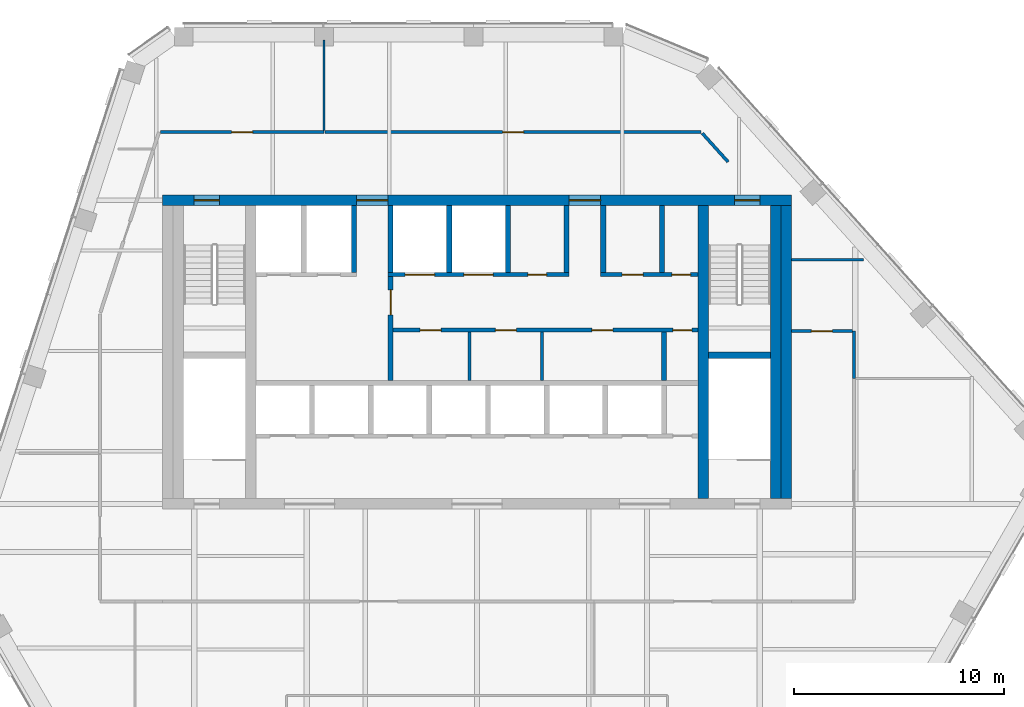
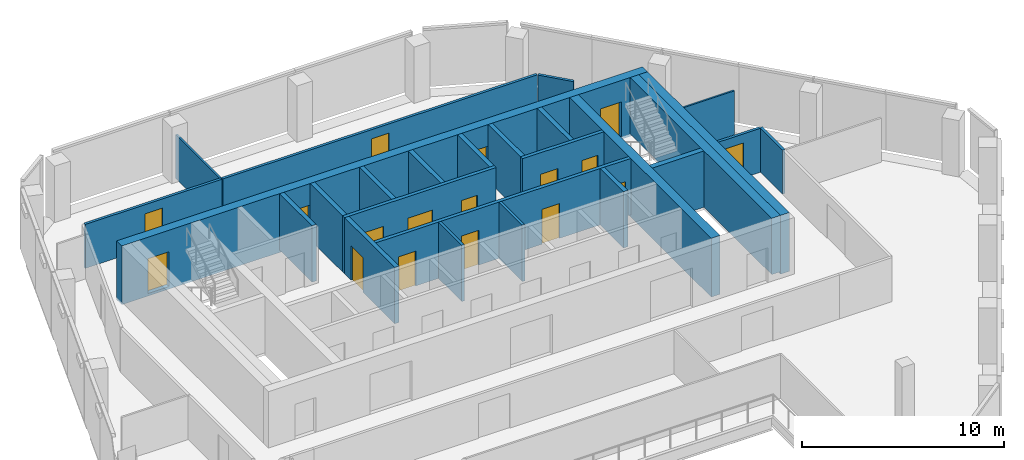
# One storey, part 9 of 13: 26 walls, 17 doors, 17 openings.
"""IFC4 building model written with IfcOpenShell, lengths in metres."""

from ifc_helpers import new_model, si_unit, direction, frame, frame_2d, origin, place, context, subcontext, project, spatial, rectangle, extrude, material, layer, layer_set, type_object, element, fill, save


model = new_model("IFC4")

# Units and contexts
model_context = context("Model", 3, precision=1e-05, world=origin(), true_north=direction((0.0, 1.0)))
body_context = subcontext(model_context, "Body", "Model", "MODEL_VIEW")
ifc_project = project(units=[si_unit("LENGTHUNIT", "METRE"), si_unit("AREAUNIT", "SQUARE_METRE"), si_unit("VOLUMEUNIT", "CUBIC_METRE"), si_unit("PLANEANGLEUNIT", "RADIAN"), si_unit("MASSUNIT", "GRAM", prefix="KILO")], contexts=[model_context])

# Site, building, storey
site_placement = place(None, origin())
site = spatial("IfcSite", under=ifc_project, at=site_placement, CompositionType="ELEMENT")
building_placement = place(site_placement, origin())
building = spatial("IfcBuilding", under=site, at=building_placement, Name="Isthmus Gate Tower", CompositionType="ELEMENT")
storey_placement = place(building_placement, frame((0.0, 0.0, 297.449951171875)))
storey = spatial("IfcBuildingStorey", under=building, at=storey_placement, Name="L76", CompositionType="ELEMENT", Elevation=297.449951171875)

# Wall
ifc_material_1 = material(Name="Gypsum board on steel studs, fire-rated", Category="steel")
ifc_layer_1 = layer(ifc_material_1, 0.14990234375)
ifc_layer_set_1 = layer_set([ifc_layer_1], Name="CORRIDOR WALL 150 60 MIN")
wall_type_1 = type_object("IfcWallType", Name="CORRIDOR WALL 150 60 MIN", PredefinedType="PARTITIONING", material=ifc_layer_set_1)
wall_1_placement = place(storey_placement, frame((18.0, 8.5, 0.0), z_axis=(0.0, 0.0, 1.0), x_axis=(0.0, -1.0, 0.0)))
element("IfcWall", 1, at=wall_1_placement, inside=storey, type_object=wall_type_1, Name="L76 Corridor Wall 150 60 Min", PredefinedType="PARTITIONING", context=body_context, shape_type="SweptSolid", body=[
    extrude(rectangle(XDim=2.262939453125, YDim=0.14990234375, at=frame_2d((1.13134765625, 0.0))), origin(), (0.0, 0.0, 1.0), 2.650634765625),
])

# Wall, opening, door
wall_2_placement = place(storey_placement, frame((-15.10302734375, 18.0, 0.0), z_axis=(0.0, 0.0, 1.0), x_axis=(1.0, 0.0, 0.0)))
wall_2 = element("IfcWall", 2, at=wall_2_placement, inside=storey, type_object=wall_type_1, Name="L76 Corridor Wall 150 60 Min", PredefinedType="PARTITIONING", context=body_context, shape_type="SweptSolid", body=[
    extrude(rectangle(XDim=7.79296875, YDim=0.14990234375, at=frame_2d((3.896484375, 0.0))), origin(), (0.0, 0.0, 1.0), 2.650634765625),
])
opening_1_placement = place(wall_2_placement, frame((3.396484375, 0.0, 0.0)))
opening_1 = element("IfcOpeningElement", 3, at=opening_1_placement, cuts=wall_2, Name="Opening DT-T6D-01", PredefinedType="OPENING", context=body_context, shape_type="SweptSolid", body=[
    extrude(rectangle(XDim=1.0, YDim=2.10009765625, at=frame_2d((0.5, 1.050048828125))), frame((0.0, 0.0849609375, 0.0), z_axis=(0.0, -1.0, 0.0), x_axis=(1.0, 0.0, 0.0)), (0.0, 0.0, 1.0), 0.169921875),
])
ifc_material_2 = material(Name="Solid core timber door leaf, fire-rated", Category="wood")
door_type_1 = type_object("IfcDoorType", Name="FIRE DOOR ROOM 1000 X 2100 60 MIN", OperationType="SINGLE_SWING_LEFT", PredefinedType="DOOR", material=ifc_material_2)
door_1_placement = place(opening_1_placement, origin())
door_1 = element("IfcDoor", 4, at=door_1_placement, inside=storey, type_object=door_type_1, Name="L76 room door", OperationType="SINGLE_SWING_RIGHT", OverallHeight=2.10009765625, OverallWidth=1.0, PredefinedType="DOOR", context=body_context, shape_type="SweptSolid", body=[
    extrude(rectangle(XDim=1.0, YDim=2.10009765625, at=frame_2d((0.5, 1.050048828125))), frame((0.0, 0.02490234375, 0.0), z_axis=(0.0, -1.0, 0.0), x_axis=(1.0, 0.0, 0.0)), (0.0, 0.0, 1.0), 0.050048828125),
])
fill(opening_1, door_1)

wall_3_placement = place(storey_placement, frame((-7.260009765625, 18.0, 0.0), z_axis=(0.0, 0.0, 1.0), x_axis=(1.0, 0.0, 0.0)))
wall_3 = element("IfcWall", 5, at=wall_3_placement, inside=storey, type_object=wall_type_1, Name="L76 Corridor Wall 150 60 Min", PredefinedType="PARTITIONING", context=body_context, shape_type="SweptSolid", body=[
    extrude(rectangle(XDim=17.9619140625, YDim=0.14990234375, at=frame_2d((8.98095703125, 0.0))), origin(), (0.0, 0.0, 1.0), 2.650634765625),
])
opening_2_placement = place(wall_3_placement, frame((8.48095703125, 0.0, 0.0)))
opening_2 = element("IfcOpeningElement", 6, at=opening_2_placement, cuts=wall_3, Name="Opening DT-T6D-02", PredefinedType="OPENING", context=body_context, shape_type="SweptSolid", body=[
    extrude(rectangle(XDim=1.0, YDim=2.10009765625, at=frame_2d((0.5, 1.050048828125))), frame((0.0, 0.0849609375, 0.0), z_axis=(0.0, -1.0, 0.0), x_axis=(1.0, 0.0, 0.0)), (0.0, 0.0, 1.0), 0.169921875),
])
door_2_placement = place(opening_2_placement, origin())
door_2 = element("IfcDoor", 7, at=door_2_placement, inside=storey, type_object=door_type_1, Name="L76 room door", OperationType="SINGLE_SWING_RIGHT", OverallHeight=2.10009765625, OverallWidth=1.0, PredefinedType="DOOR", context=body_context, shape_type="SweptSolid", body=[
    extrude(rectangle(XDim=1.0, YDim=2.10009765625, at=frame_2d((0.5, 1.050048828125))), frame((0.0, 0.02490234375, 0.0), z_axis=(0.0, -1.0, 0.0), x_axis=(1.0, 0.0, 0.0)), (0.0, 0.0, 1.0), 0.050048828125),
])
fill(opening_2, door_2)

# Wall
wall_4_placement = place(storey_placement, frame((10.752197265625, 17.9443359375, 0.0), z_axis=(0.0, 0.0, 1.0), x_axis=(0.669074609711, -0.743195241266, 0.0)))
element("IfcWall", 8, at=wall_4_placement, inside=storey, type_object=wall_type_1, Name="L76 Corridor Wall 150 60 Min", PredefinedType="PARTITIONING", context=body_context, shape_type="SweptSolid", body=[
    extrude(rectangle(XDim=1.84130859375, YDim=0.14990234375, at=frame_2d((0.920654296875, 0.0))), origin(), (0.0, 0.0, 1.0), 2.650634765625),
])

# Wall, opening, door
wall_5_placement = place(storey_placement, frame((15.0, 8.5, 0.0), z_axis=(0.0, 0.0, 1.0), x_axis=(1.0, 0.0, 0.0)))
wall_5 = element("IfcWall", 9, at=wall_5_placement, inside=storey, type_object=wall_type_1, Name="L76 Corridor Wall 150 60 Min", PredefinedType="PARTITIONING", context=body_context, shape_type="SweptSolid", body=[
    extrude(rectangle(XDim=2.925048828125, YDim=0.14990234375, at=frame_2d((1.46240234375, 0.0))), origin(), (0.0, 0.0, 1.0), 2.650634765625),
])
opening_3_placement = place(wall_5_placement, frame((0.96240234375, 0.0, 0.0)))
opening_3 = element("IfcOpeningElement", 10, at=opening_3_placement, cuts=wall_5, Name="Opening DT-T6D-04", PredefinedType="OPENING", context=body_context, shape_type="SweptSolid", body=[
    extrude(rectangle(XDim=1.0, YDim=2.10009765625, at=frame_2d((0.5, 1.050048828125))), frame((0.0, 0.0849609375, 0.0), z_axis=(0.0, -1.0, 0.0), x_axis=(1.0, 0.0, 0.0)), (0.0, 0.0, 1.0), 0.169921875),
])
door_3_placement = place(opening_3_placement, origin())
door_3 = element("IfcDoor", 11, at=door_3_placement, inside=storey, type_object=door_type_1, Name="L76 room door", OperationType="SINGLE_SWING_RIGHT", OverallHeight=2.10009765625, OverallWidth=1.0, PredefinedType="DOOR", context=body_context, shape_type="SweptSolid", body=[
    extrude(rectangle(XDim=1.0, YDim=2.10009765625, at=frame_2d((0.5, 1.050048828125))), frame((0.0, 0.02490234375, 0.0), z_axis=(0.0, -1.0, 0.0), x_axis=(1.0, 0.0, 0.0)), (0.0, 0.0, 1.0), 0.050048828125),
])
fill(opening_3, door_3)

ifc_material_3 = material(Name="Fire-rated blockwork masonry, 15 MPa", Category="masonry")
ifc_layer_2 = layer(ifc_material_3, 0.25)
ifc_layer_set_2 = layer_set([ifc_layer_2], Name="FIRE-FIGHTING LOBBY WALL 250 90 MIN")
wall_type_2 = type_object("IfcWallType", Name="FIRE-FIGHTING LOBBY WALL 250 90 MIN", PredefinedType="PARTITIONING", material=ifc_layer_set_2)
wall_6_placement = place(storey_placement, frame((-4.125, 6.14990234375, 0.0), z_axis=(0.0, 0.0, 1.0), x_axis=(0.0, 1.0, 0.0)))
wall_6 = element("IfcWall", 12, at=wall_6_placement, inside=storey, type_object=wall_type_2, Name="L76 FIRE-FIGHTING LOBBY WALL 250 90 MIN", PredefinedType="PARTITIONING", context=body_context, shape_type="SweptSolid", body=[
    extrude(rectangle(XDim=4.9501953125, YDim=0.25, at=frame_2d((2.47509765625, 0.0))), origin(), (0.0, 0.0, 1.0), 3.400146484375),
])
opening_4_placement = place(wall_6_placement, frame((3.125, 0.0, 0.0)))
opening_4 = element("IfcOpeningElement", 13, at=opening_4_placement, cuts=wall_6, Name="Opening DC-A18-01", PredefinedType="OPENING", context=body_context, shape_type="SweptSolid", body=[
    extrude(rectangle(XDim=1.199951171875, YDim=2.10009765625, at=frame_2d((0.60009765625, 1.050048828125))), frame((0.0, 0.135009765625, 0.0), z_axis=(0.0, -1.0, 0.0), x_axis=(1.0, 0.0, 0.0)), (0.0, 0.0, 1.0), 0.27001953125),
])
ifc_material_4 = material(Name="Steel door leaf, fire-rated", Category="steel")
door_type_2 = type_object("IfcDoorType", Name="LOBBY FIRE DOOR 1200 X 2100 90 MIN", OperationType="DOUBLE_DOOR_SINGLE_SWING", PredefinedType="DOOR", material=ifc_material_4)
door_4_placement = place(opening_4_placement, origin())
door_4 = element("IfcDoor", 14, at=door_4_placement, inside=storey, type_object=door_type_2, Name="Fire-fighting Lobby Door", OperationType="SINGLE_SWING_LEFT", OverallHeight=2.10009765625, OverallWidth=1.199951171875, PredefinedType="DOOR", context=body_context, shape_type="SweptSolid", body=[
    extrude(rectangle(XDim=1.199951171875, YDim=2.10009765625, at=frame_2d((0.60009765625, 1.050048828125))), frame((0.0, 0.02490234375, 0.0), z_axis=(0.0, -1.0, 0.0), x_axis=(1.0, 0.0, 0.0)), (0.0, 0.0, 1.0), 0.050048828125),
])
fill(opening_4, door_4)

# Wall
ifc_material_5 = material(Name="Concrete f'c 50 MPa", Category="concrete")
ifc_layer_3 = layer(ifc_material_5, 0.5)
ifc_layer_set_3 = layer_set([ifc_layer_3], Name="RC CORE SPINE WALL 500 F'C 50")
wall_type_3 = type_object("IfcWallType", Name="RC CORE SPINE WALL 500 F'C 50", PredefinedType="SOLIDWALL", material=ifc_layer_set_3)
wall_7_placement = place(storey_placement, frame((10.800048828125, 0.5, -0.14990234375), z_axis=(0.0, 0.0, 1.0), x_axis=(0.0, 1.0, 0.0)))
element("IfcWall", 15, at=wall_7_placement, inside=storey, type_object=wall_type_3, Name="str-corewall-L76-SPE", PredefinedType="SOLIDWALL", context=body_context, shape_type="SweptSolid", body=[
    extrude(rectangle(XDim=14.0, YDim=0.5, at=frame_2d((7.0, 0.0))), origin(), (0.0, 0.0, 1.0), 3.550048828125),
])

# Wall, openings, doors
ifc_material_6 = material(Name="Concrete f'c 50 MPa", Category="concrete")
ifc_layer_4 = layer(ifc_material_6, 0.5)
ifc_layer_set_4 = layer_set([ifc_layer_4], Name="RC CORE WALL 500 F'C 50")
wall_type_4 = type_object("IfcWallType", Name="RC CORE WALL 500 F'C 50", PredefinedType="SOLIDWALL", material=ifc_layer_set_4)
wall_8_placement = place(storey_placement, frame((-15.0, 14.75, -0.14990234375), z_axis=(0.0, 0.0, 1.0), x_axis=(1.0, 0.0, 0.0)))
wall_8 = element("IfcWall", 16, at=wall_8_placement, inside=storey, type_object=wall_type_4, Name="str-corewall-L76-N", PredefinedType="SOLIDWALL", context=body_context, shape_type="SweptSolid", body=[
    extrude(rectangle(XDim=30.0, YDim=0.5, at=frame_2d((15.0, 0.0))), origin(), (0.0, 0.0, 1.0), 3.550048828125),
])
opening_5_placement = place(wall_8_placement, frame((9.25, 0.0, 0.14990234375)))
opening_5 = element("IfcOpeningElement", 17, at=opening_5_placement, cuts=wall_8, Name="Opening DC-A18-13", PredefinedType="OPENING", context=body_context, shape_type="SweptSolid", body=[
    extrude(rectangle(XDim=1.5, YDim=2.10009765625, at=frame_2d((0.75, 1.050048828125))), frame((0.0, 0.260009765625, 0.0), z_axis=(0.0, -1.0, 0.0), x_axis=(1.0, 0.0, 0.0)), (0.0, 0.0, 1.0), 0.52001953125),
])
opening_6_placement = place(wall_8_placement, frame((19.39990234375, 0.0, 0.14990234375)))
opening_6 = element("IfcOpeningElement", 18, at=opening_6_placement, cuts=wall_8, Name="Opening DC-A18-14", PredefinedType="OPENING", context=body_context, shape_type="SweptSolid", body=[
    extrude(rectangle(XDim=1.5, YDim=2.10009765625, at=frame_2d((0.75, 1.050048828125))), frame((0.0, 0.260009765625, 0.0), z_axis=(0.0, -1.0, 0.0), x_axis=(1.0, 0.0, 0.0)), (0.0, 0.0, 1.0), 0.52001953125),
])
opening_7_placement = place(wall_8_placement, frame((1.5, 0.0, 0.14990234375)))
opening_7 = element("IfcOpeningElement", 19, at=opening_7_placement, cuts=wall_8, Name="Opening DC-A18-15", PredefinedType="OPENING", context=body_context, shape_type="SweptSolid", body=[
    extrude(rectangle(XDim=1.199951171875, YDim=2.10009765625, at=frame_2d((0.60009765625, 1.050048828125))), frame((0.0, 0.260009765625, 0.0), z_axis=(0.0, -1.0, 0.0), x_axis=(1.0, 0.0, 0.0)), (0.0, 0.0, 1.0), 0.52001953125),
])
opening_8_placement = place(wall_8_placement, frame((27.300048828125, 0.0, 0.14990234375)))
opening_8 = element("IfcOpeningElement", 20, at=opening_8_placement, cuts=wall_8, Name="Opening DC-A18-16", PredefinedType="OPENING", context=body_context, shape_type="SweptSolid", body=[
    extrude(rectangle(XDim=1.199951171875, YDim=2.10009765625, at=frame_2d((0.60009765625, 1.050048828125))), frame((0.0, 0.260009765625, 0.0), z_axis=(0.0, -1.0, 0.0), x_axis=(1.0, 0.0, 0.0)), (0.0, 0.0, 1.0), 0.52001953125),
])
ifc_material_7 = material(Name="Steel door leaf, fire-rated", Category="steel")
door_type_3 = type_object("IfcDoorType", Name="LOBBY FIRE DOOR 1500 X 2100 60 MIN", OperationType="DOUBLE_DOOR_SINGLE_SWING", PredefinedType="DOOR", material=ifc_material_7)
door_5_placement = place(opening_6_placement, origin())
door_5 = element("IfcDoor", 21, at=door_5_placement, inside=storey, type_object=door_type_3, Name="Lobby Door PN-E", OperationType="DOUBLE_DOOR_SINGLE_SWING", OverallHeight=2.10009765625, OverallWidth=1.5, PredefinedType="DOOR", context=body_context, shape_type="SweptSolid", body=[
    extrude(rectangle(XDim=1.5, YDim=2.10009765625, at=frame_2d((0.75, 1.050048828125))), frame((0.0, 0.02490234375, 0.0), z_axis=(0.0, -1.0, 0.0), x_axis=(1.0, 0.0, 0.0)), (0.0, 0.0, 1.0), 0.050048828125),
])
fill(opening_6, door_5)
ifc_material_8 = material(Name="Steel door leaf, fire-rated", Category="steel")
door_type_4 = type_object("IfcDoorType", Name="LOBBY FIRE DOOR 1500 X 2100 90 MIN", OperationType="DOUBLE_DOOR_SINGLE_SWING", PredefinedType="DOOR", material=ifc_material_8)
door_6_placement = place(opening_5_placement, origin())
door_6 = element("IfcDoor", 22, at=door_6_placement, inside=storey, type_object=door_type_4, Name="Lobby Door PN-W", OperationType="DOUBLE_DOOR_SINGLE_SWING", OverallHeight=2.10009765625, OverallWidth=1.5, PredefinedType="DOOR", context=body_context, shape_type="SweptSolid", body=[
    extrude(rectangle(XDim=1.5, YDim=2.10009765625, at=frame_2d((0.75, 1.050048828125))), frame((0.0, 0.02490234375, 0.0), z_axis=(0.0, -1.0, 0.0), x_axis=(1.0, 0.0, 0.0)), (0.0, 0.0, 1.0), 0.050048828125),
])
fill(opening_5, door_6)
ifc_material_9 = material(Name="Steel door leaf, fire-rated", Category="steel")
door_type_5 = type_object("IfcDoorType", Name="STAIR FIRE DOOR 1200 X 2100 90 MIN", OperationType="SINGLE_SWING_LEFT", PredefinedType="DOOR", material=ifc_material_9)
door_7_placement = place(opening_7_placement, origin())
door_7 = element("IfcDoor", 23, at=door_7_placement, inside=storey, type_object=door_type_5, Name="Exit Stair 1 Door", OperationType="SINGLE_SWING_RIGHT", OverallHeight=2.10009765625, OverallWidth=1.199951171875, PredefinedType="DOOR", context=body_context, shape_type="SweptSolid", body=[
    extrude(rectangle(XDim=1.199951171875, YDim=2.10009765625, at=frame_2d((0.60009765625, 1.050048828125))), frame((0.0, 0.02490234375, 0.0), z_axis=(0.0, -1.0, 0.0), x_axis=(1.0, 0.0, 0.0)), (0.0, 0.0, 1.0), 0.050048828125),
])
fill(opening_7, door_7)
door_8_placement = place(opening_8_placement, origin())
door_8 = element("IfcDoor", 24, at=door_8_placement, inside=storey, type_object=door_type_5, Name="Exit Stair 2 Door", OperationType="SINGLE_SWING_LEFT", OverallHeight=2.10009765625, OverallWidth=1.199951171875, PredefinedType="DOOR", context=body_context, shape_type="SweptSolid", body=[
    extrude(rectangle(XDim=1.199951171875, YDim=2.10009765625, at=frame_2d((0.60009765625, 1.050048828125))), frame((0.0, 0.02490234375, 0.0), z_axis=(0.0, -1.0, 0.0), x_axis=(1.0, 0.0, 0.0)), (0.0, 0.0, 1.0), 0.050048828125),
])
fill(opening_8, door_8)

# Walls
wall_9_placement = place(storey_placement, frame((14.75, 0.5, -0.14990234375), z_axis=(0.0, 0.0, 1.0), x_axis=(0.0, 1.0, 0.0)))
element("IfcWall", 25, at=wall_9_placement, inside=storey, type_object=wall_type_4, Name="str-corewall-L76-E", PredefinedType="SOLIDWALL", context=body_context, shape_type="SweptSolid", body=[
    extrude(rectangle(XDim=14.0, YDim=0.5, at=frame_2d((7.0, 0.0))), origin(), (0.0, 0.0, 1.0), 3.550048828125),
])
ifc_material_10 = material(Name="Gypsum board on steel studs, fire-rated", Category="steel")
ifc_layer_5 = layer(ifc_material_10, 0.10009765625)
ifc_layer_set_5 = layer_set([ifc_layer_5], Name="ROOM PARTITION 100 30 MIN")
wall_type_5 = type_object("IfcWallType", Name="ROOM PARTITION 100 30 MIN", PredefinedType="PARTITIONING", material=ifc_layer_set_5)
wall_10_placement = place(storey_placement, frame((-7.31005859375, 18.074951171875, 0.0), z_axis=(0.0, 0.0, 1.0), x_axis=(0.0, 1.0, 0.0)))
element("IfcWall", 26, at=wall_10_placement, inside=storey, type_object=wall_type_5, Name="L76 Room Partition 100 30 Min", PredefinedType="PARTITIONING", context=body_context, shape_type="SweptSolid", body=[
    extrude(rectangle(XDim=4.324951171875, YDim=0.10009765625, at=frame_2d((2.16259765625, 0.0))), origin(), (0.0, 0.0, 1.0), 2.650634765625),
])
wall_11_placement = place(storey_placement, frame((15.0, 11.907958984375, 0.0), z_axis=(0.0, 0.0, 1.0), x_axis=(1.0, 0.0, 0.0)))
element("IfcWall", 27, at=wall_11_placement, inside=storey, type_object=wall_type_5, Name="L76 Room Partition 100 30 Min", PredefinedType="PARTITIONING", context=body_context, shape_type="SweptSolid", body=[
    extrude(rectangle(XDim=3.443115234375, YDim=0.10009765625, at=frame_2d((1.7216796875, 0.0))), origin(), (0.0, 0.0, 1.0), 2.650634765625),
])
ifc_material_11 = material(Name="Gypsum board on steel studs, fire-rated", Category="steel")
ifc_layer_6 = layer(ifc_material_11, 0.14990234375)
ifc_layer_set_6 = layer_set([ifc_layer_6], Name="ROOM PARTITION 150 60 MIN")
wall_type_6 = type_object("IfcWallType", Name="ROOM PARTITION 150 60 MIN", PredefinedType="PARTITIONING", material=ifc_layer_set_6)
for number, where, z_axis, x_axis, name in (
    (28, (-0.35009765625, 6.14990234375, 0.0), (0.0, 0.0, 1.0), (0.0, 1.0, 0.0), "L76 ROOM PARTITION 150 60 MIN"),
    (29, (3.10009765625, 6.14990234375, 0.0), (0.0, 0.0, 1.0), (0.0, 1.0, 0.0), "L76 ROOM PARTITION 150 60 MIN"),
):
    element("IfcWall", number, at=place(storey_placement, frame(where, z_axis=z_axis, x_axis=x_axis)), inside=storey, type_object=wall_type_6, Name=name, PredefinedType="PARTITIONING", context=body_context, shape_type="SweptSolid", body=[
        extrude(rectangle(XDim=2.300048828125, YDim=0.14990234375, at=frame_2d((1.14990234375, 0.0))), origin(), (0.0, 0.0, 1.0), 3.400146484375),
    ])

# Wall, openings, doors
ifc_material_12 = material(Name="Fire-rated blockwork masonry, 15 MPa", Category="masonry")
ifc_layer_7 = layer(ifc_material_12, 0.199951171875)
ifc_layer_set_7 = layer_set([ifc_layer_7], Name="SHAFT FRONT WALL 200 120 MIN")
wall_type_7 = type_object("IfcWallType", Name="SHAFT FRONT WALL 200 120 MIN", PredefinedType="PARTITIONING", material=ifc_layer_set_7)
wall_12_placement = place(storey_placement, frame((-4.125, 8.550048828125, 0.0), z_axis=(0.0, 0.0, 1.0), x_axis=(1.0, 0.0, 0.0)))
wall_12 = element("IfcWall", 30, at=wall_12_placement, inside=storey, type_object=wall_type_7, Name="L76 SHAFT FRONT WALL 200 120 MIN", PredefinedType="PARTITIONING", context=body_context, shape_type="SweptSolid", body=[
    extrude(rectangle(XDim=14.675048828125, YDim=0.199951171875, at=frame_2d((7.33740234375, 0.0))), origin(), (0.0, 0.0, 1.0), 3.400146484375),
])
opening_9_placement = place(wall_12_placement, frame((1.41259765625, 0.0, 0.0)))
opening_9 = element("IfcOpeningElement", 31, at=opening_9_placement, cuts=wall_12, Name="Opening DC-A18-03", PredefinedType="OPENING", context=body_context, shape_type="SweptSolid", body=[
    extrude(rectangle(XDim=1.0, YDim=2.10009765625, at=frame_2d((0.5, 1.050048828125))), frame((0.0, 0.10986328125, 0.0), z_axis=(0.0, -1.0, 0.0), x_axis=(1.0, 0.0, 0.0)), (0.0, 0.0, 1.0), 0.219970703125),
])
opening_10_placement = place(wall_12_placement, frame((5.0, 0.0, 0.0)))
opening_10 = element("IfcOpeningElement", 32, at=opening_10_placement, cuts=wall_12, Name="Opening DC-A18-04", PredefinedType="OPENING", context=body_context, shape_type="SweptSolid", body=[
    extrude(rectangle(XDim=1.0, YDim=2.10009765625, at=frame_2d((0.5, 1.050048828125))), frame((0.0, 0.10986328125, 0.0), z_axis=(0.0, -1.0, 0.0), x_axis=(1.0, 0.0, 0.0)), (0.0, 0.0, 1.0), 0.219970703125),
])
opening_11_placement = place(wall_12_placement, frame((9.612548828125, 0.0, 0.0)))
opening_11 = element("IfcOpeningElement", 33, at=opening_11_placement, cuts=wall_12, Name="Opening DC-A18-05", PredefinedType="OPENING", context=body_context, shape_type="SweptSolid", body=[
    extrude(rectangle(XDim=1.0, YDim=2.10009765625, at=frame_2d((0.5, 1.050048828125))), frame((0.0, 0.10986328125, 0.0), z_axis=(0.0, -1.0, 0.0), x_axis=(1.0, 0.0, 0.0)), (0.0, 0.0, 1.0), 0.219970703125),
])
opening_12_placement = place(wall_12_placement, frame((13.47509765625, 0.0, 0.0)))
opening_12 = element("IfcOpeningElement", 34, at=opening_12_placement, cuts=wall_12, Name="Opening DC-A18-06", PredefinedType="OPENING", context=body_context, shape_type="SweptSolid", body=[
    extrude(rectangle(XDim=0.89990234375, YDim=2.10009765625, at=frame_2d((0.449951171875, 1.050048828125))), frame((0.0, 0.10986328125, 0.0), z_axis=(0.0, -1.0, 0.0), x_axis=(1.0, 0.0, 0.0)), (0.0, 0.0, 1.0), 0.219970703125),
])
ifc_material_13 = material(Name="Steel door leaf, fire-rated", Category="steel")
door_type_6 = type_object("IfcDoorType", Name="FIRE DOOR 1000 X 2100 60 MIN", OperationType="SINGLE_SWING_LEFT", PredefinedType="DOOR", material=ifc_material_13)
door_9_placement = place(opening_9_placement, origin())
door_9 = element("IfcDoor", 35, at=door_9_placement, inside=storey, type_object=door_type_6, Name="WC Women Door", OperationType="SINGLE_SWING_LEFT", OverallHeight=2.10009765625, OverallWidth=1.0, PredefinedType="DOOR", context=body_context, shape_type="SweptSolid", body=[
    extrude(rectangle(XDim=1.0, YDim=2.10009765625, at=frame_2d((0.5, 1.050048828125))), frame((0.0, 0.02490234375, 0.0), z_axis=(0.0, -1.0, 0.0), x_axis=(1.0, 0.0, 0.0)), (0.0, 0.0, 1.0), 0.050048828125),
])
fill(opening_9, door_9)
door_10_placement = place(opening_10_placement, origin())
door_10 = element("IfcDoor", 36, at=door_10_placement, inside=storey, type_object=door_type_6, Name="WC Men Door", OperationType="SINGLE_SWING_RIGHT", OverallHeight=2.10009765625, OverallWidth=1.0, PredefinedType="DOOR", context=body_context, shape_type="SweptSolid", body=[
    extrude(rectangle(XDim=1.0, YDim=2.10009765625, at=frame_2d((0.5, 1.050048828125))), frame((0.0, 0.02490234375, 0.0), z_axis=(0.0, -1.0, 0.0), x_axis=(1.0, 0.0, 0.0)), (0.0, 0.0, 1.0), 0.050048828125),
])
fill(opening_10, door_10)
door_11_placement = place(opening_11_placement, origin())
door_11 = element("IfcDoor", 37, at=door_11_placement, inside=storey, type_object=door_type_6, Name="Accessible WC Door", OperationType="SINGLE_SWING_LEFT", OverallHeight=2.10009765625, OverallWidth=1.0, PredefinedType="DOOR", context=body_context, shape_type="SweptSolid", body=[
    extrude(rectangle(XDim=1.0, YDim=2.10009765625, at=frame_2d((0.5, 1.050048828125))), frame((0.0, 0.02490234375, 0.0), z_axis=(0.0, -1.0, 0.0), x_axis=(1.0, 0.0, 0.0)), (0.0, 0.0, 1.0), 0.050048828125),
])
fill(opening_11, door_11)
ifc_material_14 = material(Name="Steel door leaf, fire-rated", Category="steel")
door_type_7 = type_object("IfcDoorType", Name="RISER FIRE DOOR 900 X 2100 90 MIN", OperationType="SINGLE_SWING_LEFT", PredefinedType="DOOR", material=ifc_material_14)
door_12_placement = place(opening_12_placement, origin())
door_12 = element("IfcDoor", 38, at=door_12_placement, inside=storey, type_object=door_type_7, Name="Riser Door", OperationType="SINGLE_SWING_RIGHT", OverallHeight=2.10009765625, OverallWidth=0.89990234375, PredefinedType="DOOR", context=body_context, shape_type="SweptSolid", body=[
    extrude(rectangle(XDim=0.89990234375, YDim=2.10009765625, at=frame_2d((0.449951171875, 1.050048828125))), frame((0.0, 0.02490234375, 0.0), z_axis=(0.0, -1.0, 0.0), x_axis=(1.0, 0.0, 0.0)), (0.0, 0.0, 1.0), 0.050048828125),
])
fill(opening_12, door_12)

wall_13_placement = place(storey_placement, frame((-4.25, 11.199951171875, 0.0), z_axis=(0.0, 0.0, 1.0), x_axis=(1.0, 0.0, 0.0)))
wall_13 = element("IfcWall", 39, at=wall_13_placement, inside=storey, type_object=wall_type_7, Name="L76 SHAFT FRONT WALL 200 120 MIN", PredefinedType="PARTITIONING", context=body_context, shape_type="SweptSolid", body=[
    extrude(rectangle(XDim=8.64990234375, YDim=0.199951171875, at=frame_2d((4.324951171875, 0.0))), origin(), (0.0, 0.0, 1.0), 3.400146484375),
])
opening_13_placement = place(wall_13_placement, frame((0.824951171875, 0.0, 0.0)))
opening_13 = element("IfcOpeningElement", 40, at=opening_13_placement, cuts=wall_13, Name="Opening LD-LV1", PredefinedType="OPENING", context=body_context, shape_type="SweptSolid", body=[
    extrude(rectangle(XDim=1.39990234375, YDim=2.10009765625, at=frame_2d((0.699951171875, 1.050048828125))), frame((0.0, 0.10986328125, 0.0), z_axis=(0.0, -1.0, 0.0), x_axis=(1.0, 0.0, 0.0)), (0.0, 0.0, 1.0), 0.219970703125),
])
opening_14_placement = place(wall_13_placement, frame((3.625, 0.0, 0.0)))
opening_14 = element("IfcOpeningElement", 41, at=opening_14_placement, cuts=wall_13, Name="Opening LD-LV2", PredefinedType="OPENING", context=body_context, shape_type="SweptSolid", body=[
    extrude(rectangle(XDim=1.39990234375, YDim=2.10009765625, at=frame_2d((0.699951171875, 1.050048828125))), frame((0.0, 0.10986328125, 0.0), z_axis=(0.0, -1.0, 0.0), x_axis=(1.0, 0.0, 0.0)), (0.0, 0.0, 1.0), 0.219970703125),
])
opening_15_placement = place(wall_13_placement, frame((6.675048828125, 0.0, 0.0)))
opening_15 = element("IfcOpeningElement", 42, at=opening_15_placement, cuts=wall_13, Name="Opening DC-A18-07", PredefinedType="OPENING", context=body_context, shape_type="SweptSolid", body=[
    extrude(rectangle(XDim=0.89990234375, YDim=2.10009765625, at=frame_2d((0.449951171875, 1.050048828125))), frame((0.0, 0.10986328125, 0.0), z_axis=(0.0, -1.0, 0.0), x_axis=(1.0, 0.0, 0.0)), (0.0, 0.0, 1.0), 0.219970703125),
])
ifc_material_15 = material(Name="Steel door leaf, fire-rated", Category="steel")
door_type_8 = type_object("IfcDoorType", Name="FIRE DOOR 900 X 2100 60 MIN", OperationType="SINGLE_SWING_LEFT", PredefinedType="DOOR", material=ifc_material_15)
door_13_placement = place(opening_15_placement, origin())
door_13 = element("IfcDoor", 43, at=door_13_placement, inside=storey, type_object=door_type_8, Name="Cleaner Store Door", OperationType="SINGLE_SWING_LEFT", OverallHeight=2.10009765625, OverallWidth=0.89990234375, PredefinedType="DOOR", context=body_context, shape_type="SweptSolid", body=[
    extrude(rectangle(XDim=0.89990234375, YDim=2.10009765625, at=frame_2d((0.449951171875, 1.050048828125))), frame((0.0, 0.02490234375, 0.0), z_axis=(0.0, -1.0, 0.0), x_axis=(1.0, 0.0, 0.0)), (0.0, 0.0, 1.0), 0.050048828125),
])
fill(opening_15, door_13)
ifc_material_16 = material(Name="Stainless steel sliding leaf", Category="steel")
door_type_9 = type_object("IfcDoorType", Name="LIFT LANDING FIRE DOOR 1400 X 2100 90 MIN", OperationType="DOUBLE_DOOR_SLIDING", PredefinedType="DOOR", material=ifc_material_16)
door_14_placement = place(opening_13_placement, origin())
door_14 = element("IfcDoor", 44, at=door_14_placement, inside=storey, type_object=door_type_9, Name="Lift Landing Door LV1", OperationType="DOUBLE_DOOR_SLIDING", OverallHeight=2.10009765625, OverallWidth=1.39990234375, PredefinedType="DOOR", context=body_context, shape_type="SweptSolid", body=[
    extrude(rectangle(XDim=1.39990234375, YDim=2.10009765625, at=frame_2d((0.699951171875, 1.050048828125))), frame((0.0, 0.02490234375, 0.0), z_axis=(0.0, -1.0, 0.0), x_axis=(1.0, 0.0, 0.0)), (0.0, 0.0, 1.0), 0.050048828125),
])
fill(opening_13, door_14)
door_15_placement = place(opening_14_placement, origin())
door_15 = element("IfcDoor", 45, at=door_15_placement, inside=storey, type_object=door_type_9, Name="Lift Landing Door LV2", OperationType="DOUBLE_DOOR_SLIDING", OverallHeight=2.10009765625, OverallWidth=1.39990234375, PredefinedType="DOOR", context=body_context, shape_type="SweptSolid", body=[
    extrude(rectangle(XDim=1.39990234375, YDim=2.10009765625, at=frame_2d((0.699951171875, 1.050048828125))), frame((0.0, 0.02490234375, 0.0), z_axis=(0.0, -1.0, 0.0), x_axis=(1.0, 0.0, 0.0)), (0.0, 0.0, 1.0), 0.050048828125),
])
fill(opening_14, door_15)

wall_14_placement = place(storey_placement, frame((5.89990234375, 11.199951171875, 0.0), z_axis=(0.0, 0.0, 1.0), x_axis=(1.0, 0.0, 0.0)))
wall_14 = element("IfcWall", 46, at=wall_14_placement, inside=storey, type_object=wall_type_7, Name="L76 SHAFT FRONT WALL 200 120 MIN", PredefinedType="PARTITIONING", context=body_context, shape_type="SweptSolid", body=[
    extrude(rectangle(XDim=4.650146484375, YDim=0.199951171875, at=frame_2d((2.3251953125, 0.0))), origin(), (0.0, 0.0, 1.0), 3.400146484375),
])
opening_16_placement = place(wall_14_placement, frame((1.02490234375, 0.0, 0.0)))
opening_16 = element("IfcOpeningElement", 47, at=opening_16_placement, cuts=wall_14, Name="Opening DC-A18-08", PredefinedType="OPENING", context=body_context, shape_type="SweptSolid", body=[
    extrude(rectangle(XDim=1.0, YDim=2.10009765625, at=frame_2d((0.5, 1.050048828125))), frame((0.0, 0.10986328125, 0.0), z_axis=(0.0, -1.0, 0.0), x_axis=(1.0, 0.0, 0.0)), (0.0, 0.0, 1.0), 0.219970703125),
])
opening_17_placement = place(wall_14_placement, frame((3.39990234375, 0.0, 0.0)))
opening_17 = element("IfcOpeningElement", 48, at=opening_17_placement, cuts=wall_14, Name="Opening DC-A18-09", PredefinedType="OPENING", context=body_context, shape_type="SweptSolid", body=[
    extrude(rectangle(XDim=0.89990234375, YDim=2.10009765625, at=frame_2d((0.449951171875, 1.050048828125))), frame((0.0, 0.10986328125, 0.0), z_axis=(0.0, -1.0, 0.0), x_axis=(1.0, 0.0, 0.0)), (0.0, 0.0, 1.0), 0.219970703125),
])
door_16_placement = place(opening_16_placement, origin())
door_16 = element("IfcDoor", 49, at=door_16_placement, inside=storey, type_object=door_type_6, Name="Pantry Door", OperationType="SINGLE_SWING_RIGHT", OverallHeight=2.10009765625, OverallWidth=1.0, PredefinedType="DOOR", context=body_context, shape_type="SweptSolid", body=[
    extrude(rectangle(XDim=1.0, YDim=2.10009765625, at=frame_2d((0.5, 1.050048828125))), frame((0.0, 0.02490234375, 0.0), z_axis=(0.0, -1.0, 0.0), x_axis=(1.0, 0.0, 0.0)), (0.0, 0.0, 1.0), 0.050048828125),
])
fill(opening_16, door_16)
door_17_placement = place(opening_17_placement, origin())
door_17 = element("IfcDoor", 50, at=door_17_placement, inside=storey, type_object=door_type_7, Name="Riser Door", OperationType="SINGLE_SWING_LEFT", OverallHeight=2.10009765625, OverallWidth=0.89990234375, PredefinedType="DOOR", context=body_context, shape_type="SweptSolid", body=[
    extrude(rectangle(XDim=0.89990234375, YDim=2.10009765625, at=frame_2d((0.449951171875, 1.050048828125))), frame((0.0, 0.02490234375, 0.0), z_axis=(0.0, -1.0, 0.0), x_axis=(1.0, 0.0, 0.0)), (0.0, 0.0, 1.0), 0.050048828125),
])
fill(opening_17, door_17)

# Walls
ifc_material_17 = material(Name="Fire-rated blockwork masonry, 15 MPa", Category="masonry")
ifc_layer_8 = layer(ifc_material_17, 0.25)
ifc_layer_set_8 = layer_set([ifc_layer_8], Name="SHAFT WALL 250 120 MIN")
wall_type_8 = type_object("IfcWallType", Name="SHAFT WALL 250 120 MIN", PredefinedType="PARTITIONING", material=ifc_layer_set_8)
wall_15_placement = place(storey_placement, frame((8.925048828125, 6.14990234375, 0.0), z_axis=(0.0, 0.0, 1.0), x_axis=(0.0, 1.0, 0.0)))
element("IfcWall", 51, at=wall_15_placement, inside=storey, type_object=wall_type_8, Name="L76 SHAFT WALL 250 120 MIN", PredefinedType="PARTITIONING", context=body_context, shape_type="SweptSolid", body=[
    extrude(rectangle(XDim=2.300048828125, YDim=0.25, at=frame_2d((1.14990234375, 0.0))), origin(), (0.0, 0.0, 1.0), 3.400146484375),
])
for number, where, z_axis, x_axis, name in (
    (52, (-5.875, 11.300048828125, 0.0), (0.0, 0.0, 1.0), (0.0, 1.0, 0.0), "L76 SHAFT WALL 250 120 MIN"),
    (53, (-4.125, 11.300048828125, 0.0), (0.0, 0.0, 1.0), (0.0, 1.0, 0.0), "L76 SHAFT WALL 250 120 MIN"),
    (54, (-1.324951171875, 11.300048828125, 0.0), (0.0, 0.0, 1.0), (0.0, 1.0, 0.0), "L76 SHAFT WALL 250 120 MIN"),
    (55, (1.47509765625, 11.300048828125, 0.0), (0.0, 0.0, 1.0), (0.0, 1.0, 0.0), "L76 SHAFT WALL 250 120 MIN"),
    (56, (4.27490234375, 11.300048828125, 0.0), (0.0, 0.0, 1.0), (0.0, 1.0, 0.0), "L76 SHAFT WALL 250 120 MIN"),
    (57, (6.02490234375, 11.300048828125, 0.0), (0.0, 0.0, 1.0), (0.0, 1.0, 0.0), "L76 SHAFT WALL 250 120 MIN"),
    (58, (8.824951171875, 11.300048828125, 0.0), (0.0, 0.0, 1.0), (0.0, 1.0, 0.0), "L76 SHAFT WALL 250 120 MIN"),
):
    element("IfcWall", number, at=place(storey_placement, frame(where, z_axis=z_axis, x_axis=x_axis)), inside=storey, type_object=wall_type_8, Name=name, PredefinedType="PARTITIONING", context=body_context, shape_type="SweptSolid", body=[
        extrude(rectangle(XDim=3.199951171875, YDim=0.25, at=frame_2d((1.60009765625, 0.0))), origin(), (0.0, 0.0, 1.0), 3.400146484375),
    ])
ifc_material_18 = material(Name="Concrete f'c 40 MPa", Category="concrete")
ifc_layer_9 = layer(ifc_material_18, 0.300048828125)
ifc_layer_set_9 = layer_set([ifc_layer_9], Name="STAIR ENCLOSURE WALL 300 180 MIN")
wall_type_9 = type_object("IfcWallType", Name="STAIR ENCLOSURE WALL 300 180 MIN", PredefinedType="SOLIDWALL", material=ifc_layer_set_9)
wall_16_placement = place(storey_placement, frame((11.050048828125, 7.35009765625, 0.0), z_axis=(0.0, 0.0, 1.0), x_axis=(1.0, 0.0, 0.0)))
element("IfcWall", 59, at=wall_16_placement, inside=storey, type_object=wall_type_9, Name="L76 STAIR ENCLOSURE WALL 300 180 MIN", PredefinedType="SOLIDWALL", context=body_context, shape_type="SweptSolid", body=[
    extrude(rectangle(XDim=2.949951171875, YDim=0.300048828125, at=frame_2d((1.47509765625, 0.0))), origin(), (0.0, 0.0, 1.0), 3.400146484375),
])
ifc_material_19 = material(Name="Concrete f'c 40 MPa", Category="concrete")
ifc_layer_10 = layer(ifc_material_19, 0.5)
ifc_layer_set_10 = layer_set([ifc_layer_10], Name="STAIR ENCLOSURE WALL 500 180 MIN")
wall_type_10 = type_object("IfcWallType", Name="STAIR ENCLOSURE WALL 500 180 MIN", PredefinedType="SOLIDWALL", material=ifc_layer_set_10)
wall_17_placement = place(storey_placement, frame((14.25, 0.5, 0.0), z_axis=(0.0, 0.0, 1.0), x_axis=(0.0, 1.0, 0.0)))
element("IfcWall", 60, at=wall_17_placement, inside=storey, type_object=wall_type_10, Name="L76 STAIR ENCLOSURE WALL 500 180 MIN", PredefinedType="SOLIDWALL", context=body_context, shape_type="SweptSolid", body=[
    extrude(rectangle(XDim=14.0, YDim=0.5, at=frame_2d((7.0, 0.0))), origin(), (0.0, 0.0, 1.0), 3.400146484375),
])

save(model, "model.ifc")
